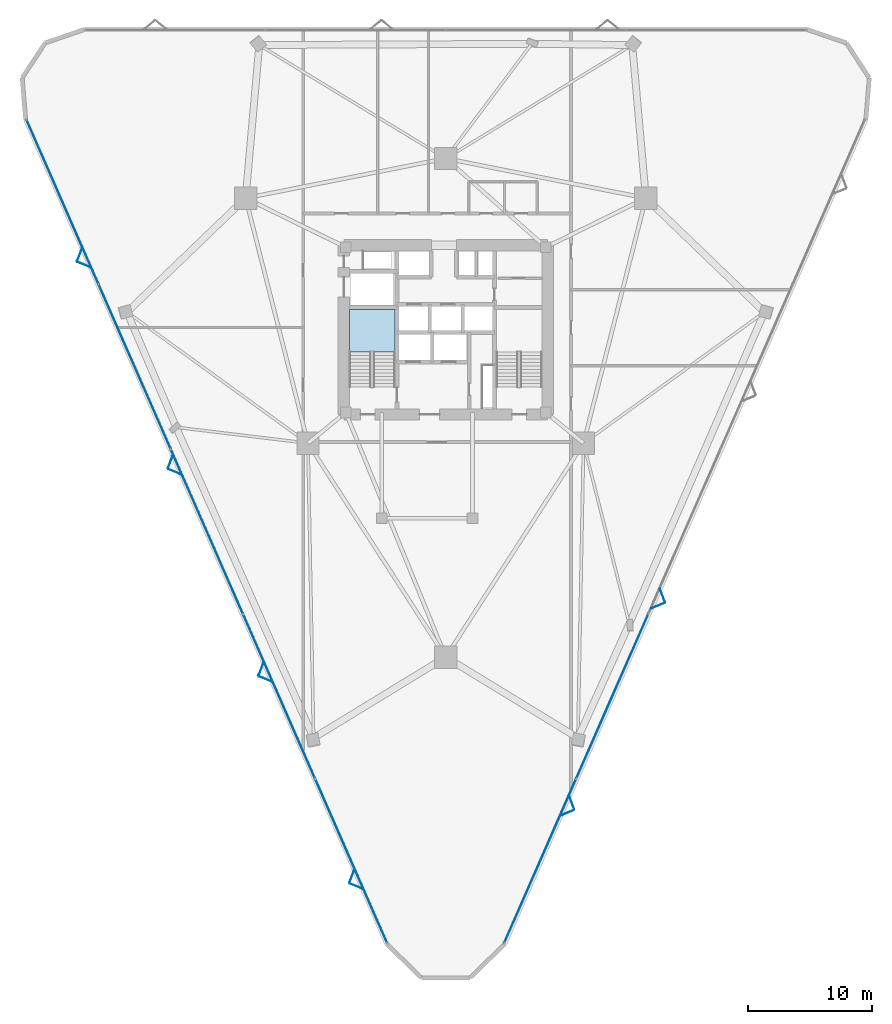
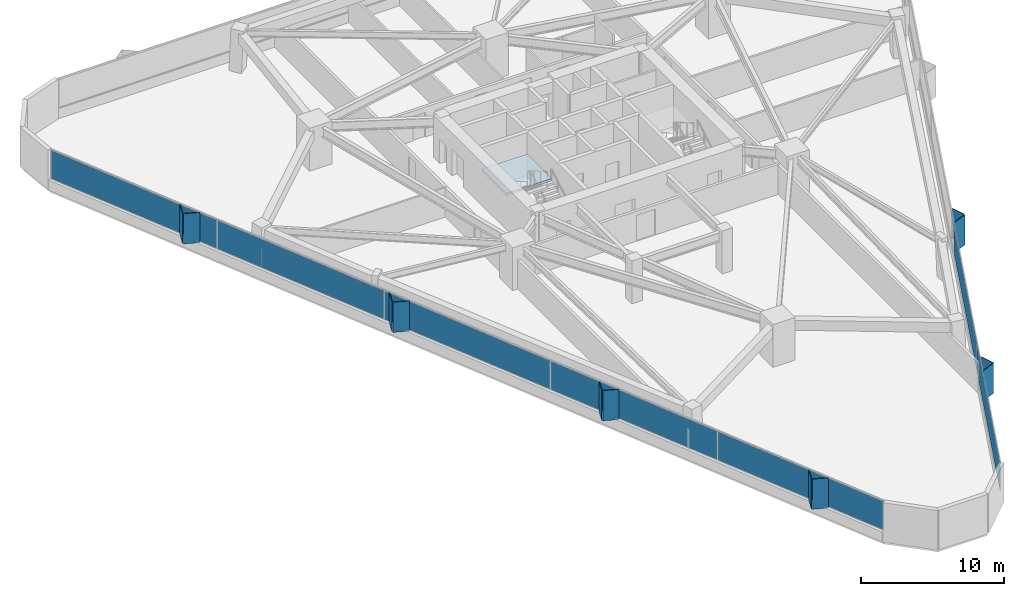
# One storey, part 14 of 20: 19 plates, 1 slab, 3 elements without a shape of their own.
"""IFC4 building model written with IfcOpenShell, lengths in metres."""

from ifc_helpers import new_model, si_unit, direction, frame, origin, origin_2d, place, context, subcontext, project, spatial, polyline, rectangle, outline, extrude, material, layer, layer_set, type_object, element, aggregate, save


model = new_model("IFC4")

# Units and contexts
model_context = context("Model", 3, precision=1e-05, world=origin(), true_north=direction((0.0, 1.0)))
body_context = subcontext(model_context, "Body", "Model", "MODEL_VIEW")
ifc_project = project(units=[si_unit("LENGTHUNIT", "METRE"), si_unit("AREAUNIT", "SQUARE_METRE"), si_unit("VOLUMEUNIT", "CUBIC_METRE"), si_unit("PLANEANGLEUNIT", "RADIAN"), si_unit("MASSUNIT", "GRAM", prefix="KILO")], contexts=[model_context])

# Site, building, storey
site_placement = place(None, origin())
site = spatial("IfcSite", under=ifc_project, at=site_placement, CompositionType="ELEMENT")
building_placement = place(site_placement, origin())
building = spatial("IfcBuilding", under=site, at=building_placement, Name="Talyreon Biosciences Tower", CompositionType="ELEMENT")
storey_placement = place(building_placement, frame((0.0, 0.0, 37.39990234375)))
storey = spatial("IfcBuildingStorey", under=building, at=storey_placement, Name="L09", CompositionType="ELEMENT", Elevation=37.39990234375)

# Curtain wall, plates
ifc_material_1 = material(Name="Thermally broken aluminium and low-E glazing", Category="aluminium")
ifc_layer_1 = layer(ifc_material_1, 0.195068359375)
ifc_layer_set_1 = layer_set([ifc_layer_1], Name="Thermally broken aluminium and low-E glazing")
curtain_wall_type = type_object("IfcCurtainWallType", Name="CurtainWall_Zone1WetLab", PredefinedType="NOTDEFINED", material=ifc_layer_set_1)
curtain_wall_1_placement = place(storey_placement, origin())
curtain_wall_1 = element("IfcCurtainWall", 1, at=curtain_wall_1_placement, inside=storey, type_object=curtain_wall_type, Name="L09 Unitised Curtain Wall FCW-L09-00", PredefinedType="NOTDEFINED")
ifc_material_2 = material(Name="Triple-silver low-E insulated glazing", Category="glass")
ifc_layer_2 = layer(ifc_material_2, 0.031982421875)
ifc_layer_set_2 = layer_set([ifc_layer_2], Name="Triple-silver low-E insulated glazing")
plate_type_1 = type_object("IfcPlateType", Name="CWGlazingPanel_32", PredefinedType="CURTAIN_PANEL", material=ifc_layer_set_2)
plate_1_placement = place(storey_placement, frame((58.399169921875, 25.267822265625, 0.875), z_axis=(0.0, 0.0, 1.0), x_axis=(-0.401222995321, 0.915980408101, 0.0)))
plate_1 = element("IfcPlate", 2, at=plate_1_placement, type_object=plate_type_1, Name="CW2 panel 1.1", PredefinedType="CURTAIN_PANEL", context=body_context, shape_type="SweptSolid", body=[
    extrude(rectangle(XDim=14.38134765625, YDim=0.031982421875, at=origin_2d()), origin(), (0.0, 0.0, 1.0), 2.43505859375),
])
plate_2_placement = place(storey_placement, frame((52.596435546875, 38.51513671875, 0.875), z_axis=(0.0, 0.0, 1.0), x_axis=(-0.401222995321, 0.915980408101, 0.0)))
plate_2 = element("IfcPlate", 3, at=plate_2_placement, type_object=plate_type_1, Name="CW2 panel 2.1", PredefinedType="CURTAIN_PANEL", context=body_context, shape_type="SweptSolid", body=[
    extrude(rectangle(XDim=14.413818359375, YDim=0.031982421875, at=origin_2d()), origin(), (0.0, 0.0, 1.0), 2.43505859375),
])
plate_3_placement = place(storey_placement, frame((46.787109375, 51.777587890625, 0.875), z_axis=(0.0, 0.0, 1.0), x_axis=(-0.401222995321, 0.915980408101, 0.0)))
plate_3 = element("IfcPlate", 4, at=plate_3_placement, type_object=plate_type_1, Name="CW2 panel 3.1", PredefinedType="CURTAIN_PANEL", context=body_context, shape_type="SweptSolid", body=[
    extrude(rectangle(XDim=14.413818359375, YDim=0.031982421875, at=origin_2d()), origin(), (0.0, 0.0, 1.0), 2.43505859375),
])
plate_4_placement = place(storey_placement, frame((40.97802734375, 65.039794921875, 0.875), z_axis=(0.0, 0.0, 1.0), x_axis=(-0.401222995321, 0.915980408101, 0.0)))
plate_4 = element("IfcPlate", 5, at=plate_4_placement, type_object=plate_type_1, Name="CW2 panel 4.1", PredefinedType="CURTAIN_PANEL", context=body_context, shape_type="SweptSolid", body=[
    extrude(rectangle(XDim=14.413818359375, YDim=0.031982421875, at=origin_2d()), origin(), (0.0, 0.0, 1.0), 2.43505859375),
])
plate_5_placement = place(storey_placement, frame((35.17529296875, 78.287109375, 0.875), z_axis=(0.0, 0.0, 1.0), x_axis=(-0.401222995321, 0.915980408101, 0.0)))
plate_5 = element("IfcPlate", 6, at=plate_5_placement, type_object=plate_type_1, Name="CW2 panel 5.1", PredefinedType="CURTAIN_PANEL", context=body_context, shape_type="SweptSolid", body=[
    extrude(rectangle(XDim=14.38134765625, YDim=0.031982421875, at=origin_2d()), origin(), (0.0, 0.0, 1.0), 2.43505859375),
])
aggregate(curtain_wall_1, [plate_1, plate_2, plate_3, plate_4, plate_5])

curtain_wall_2_placement = place(storey_placement, origin())
curtain_wall_2 = element("IfcCurtainWall", 7, at=curtain_wall_2_placement, inside=storey, type_object=curtain_wall_type, Name="L09 Unitised Curtain Wall FCW-L09-08", PredefinedType="NOTDEFINED")
plate_6_placement = place(storey_placement, frame((79.403564453125, 38.51513671875, 0.875), z_axis=(0.0, 0.0, 1.0), x_axis=(-0.401222995321, -0.915980408101, 0.0)))
plate_6 = element("IfcPlate", 8, at=plate_6_placement, type_object=plate_type_1, Name="CW2 panel 4.1", PredefinedType="CURTAIN_PANEL", context=body_context, shape_type="SweptSolid", body=[
    extrude(rectangle(XDim=14.413818359375, YDim=0.031982421875, at=origin_2d()), origin(), (0.0, 0.0, 1.0), 2.43505859375),
])
plate_7_placement = place(storey_placement, frame((73.600830078125, 25.267822265625, 0.875), z_axis=(0.0, 0.0, 1.0), x_axis=(-0.401222995321, -0.915980408101, 0.0)))
plate_7 = element("IfcPlate", 9, at=plate_7_placement, type_object=plate_type_1, Name="CW2 panel 5.1", PredefinedType="CURTAIN_PANEL", context=body_context, shape_type="SweptSolid", body=[
    extrude(rectangle(XDim=14.38134765625, YDim=0.031982421875, at=origin_2d()), origin(), (0.0, 0.0, 1.0), 2.43505859375),
])
aggregate(curtain_wall_2, [plate_6, plate_7])

# Plates
ifc_material_3 = material(Name="Ivory GFRC sunshade panel", Category="concrete")
ifc_layer_3 = layer(ifc_material_3, 0.044921875)
ifc_layer_set_3 = layer_set([ifc_layer_3], Name="Ivory GFRC sunshade panel")
plate_type_2 = type_object("IfcPlateType", Name="FoldedVSunshade_SunFace_SUNSHADE", PredefinedType="USERDEFINED", material=ifc_layer_set_3)
for number, where, z_axis, x_axis, name in (
    (10, (58.812744140625, 23.226806640625, 0.7900390625), (0.0, 0.0, 1.0), (-0.924911408888, 0.380182700434, 0.0), "L09 Folded V-Sunshade Panel 00.01L"),
    (11, (58.45166015625, 24.051025390625, 0.7900390625), (0.0, 0.0, 1.0), (0.347672160741, 0.937616162748, 0.0), "L09 Folded V-Sunshade Panel 00.01R"),
    (12, (51.510498046875, 39.8974609375, 0.7900390625), (0.0, 0.0, 1.0), (-0.924911408888, 0.380182700434, 0.0), "L09 Folded V-Sunshade Panel 00.02L"),
    (13, (51.1494140625, 40.721923828125, 0.7900390625), (0.0, 0.0, 1.0), (0.347672160741, 0.937616162748, 0.0), "L09 Folded V-Sunshade Panel 00.02R"),
    (14, (44.208251953125, 56.568359375, 0.7900390625), (0.0, 0.0, 1.0), (-0.924911408888, 0.380182700434, 0.0), "L09 Folded V-Sunshade Panel 00.03L"),
    (15, (43.84716796875, 57.392578125, 0.7900390625), (0.0, 0.0, 1.0), (0.347672160741, 0.937616162748, 0.0), "L09 Folded V-Sunshade Panel 00.03R"),
    (16, (36.906005859375, 73.2392578125, 0.7900390625), (0.0, 0.0, 1.0), (-0.924911408888, 0.380182700434, 0.0), "L09 Folded V-Sunshade Panel 00.04L"),
    (17, (36.544921875, 74.063720703125, 0.7900390625), (0.0, 0.0, 1.0), (0.347672160741, 0.937616162748, 0.0), "L09 Folded V-Sunshade Panel 00.04R"),
    (18, (83.440185546875, 46.633544921875, 0.7900390625), (0.0, 0.0, 1.0), (0.347672160741, -0.937616162748, 0.0), "L09 Folded V-Sunshade Panel 08.03L"),
    (19, (83.0791015625, 45.80908203125, 0.7900390625), (0.0, 0.0, 1.0), (-0.924911408888, -0.380182700434, 0.0), "L09 Folded V-Sunshade Panel 08.03R"),
    (20, (76.1376953125, 29.962646484375, 0.7900390625), (0.0, 0.0, 1.0), (0.347672160741, -0.937616162748, 0.0), "L09 Folded V-Sunshade Panel 08.04L"),
    (21, (75.776611328125, 29.13818359375, 0.7900390625), (0.0, 0.0, 1.0), (-0.924911408888, -0.380182700434, 0.0), "L09 Folded V-Sunshade Panel 08.04R"),
):
    element("IfcPlate", number, at=place(storey_placement, frame(where, z_axis=z_axis, x_axis=x_axis)), inside=storey, type_object=plate_type_2, Name=name, ObjectType="SUNSHADE", PredefinedType="USERDEFINED", context=body_context, shape_type="SweptSolid", body=[
        extrude(rectangle(XDim=1.14990234375, YDim=0.044921875, at=origin_2d()), origin(), (0.0, 0.0, 1.0), 2.5849609375),
    ])

# Stair, slab
ifc_material_4 = material(Name="Concrete C40/50", Category="concrete")
stair_type = type_object("IfcStairType", Name="DoglegEscapeStair_3650", PredefinedType="HALF_TURN_STAIR", material=ifc_material_4)
stair_placement = place(storey_placement, origin())
stair = element("IfcStair", 22, at=stair_placement, inside=storey, type_object=stair_type, Name="L09 Core Escape Stair 1", PredefinedType="HALF_TURN_STAIR")
ifc_layer_4 = layer(ifc_material_4, 0.199951171875)
ifc_layer_set_4 = layer_set([ifc_layer_4], Name="Concrete C40/50")
slab_type = type_object("IfcSlabType", Name="StairLandingSlab_200", PredefinedType="LANDING", material=ifc_layer_set_4)
slab_placement = place(storey_placement, frame((0.0, 0.0, 1.625)))
slab = element("IfcSlab", 23, at=slab_placement, type_object=slab_type, Name="ST-1 landing 1", PredefinedType="LANDING", context=body_context, shape_type="SweptSolid", body=[
    extrude(outline(polyline([(61.929931640625, 66.199951171875), (61.929931640625, 69.64990234375), (58.25, 69.64990234375), (58.25, 66.199951171875), (61.929931640625, 66.199951171875)])), origin(), (0.0, 0.0, 1.0), 0.2001953125),
])
aggregate(stair, [slab])

save(model, "model.ifc")
